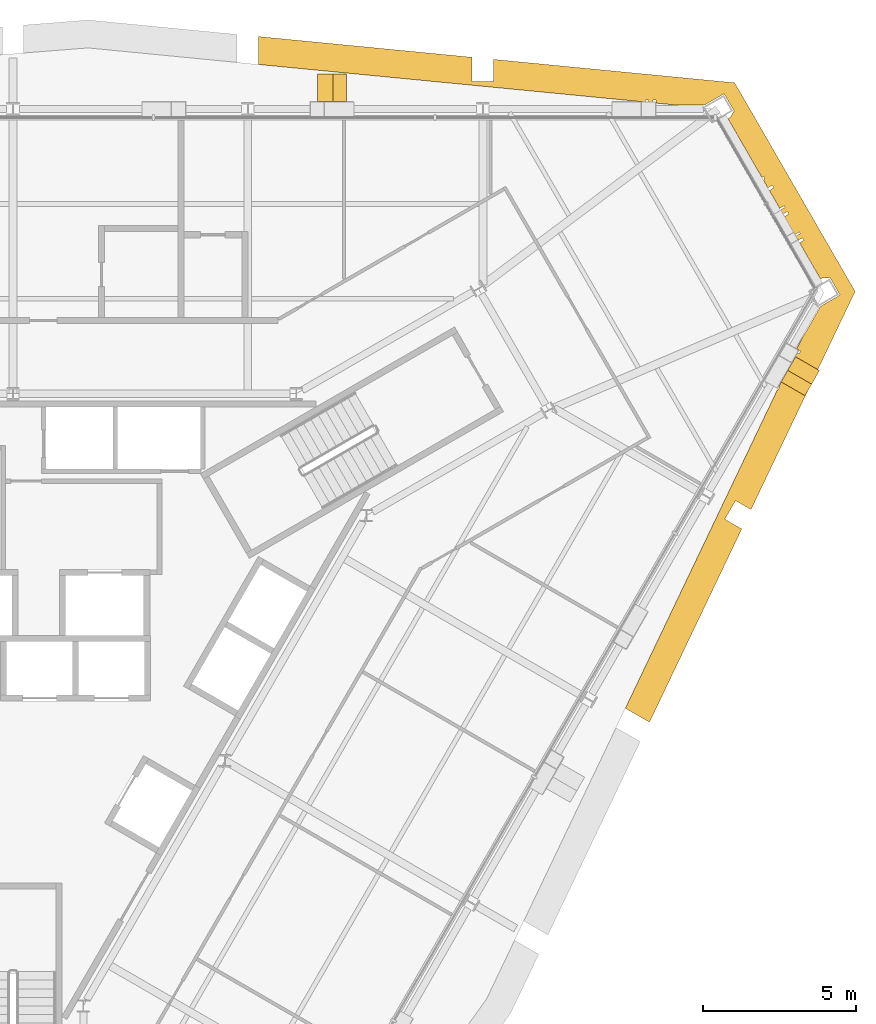
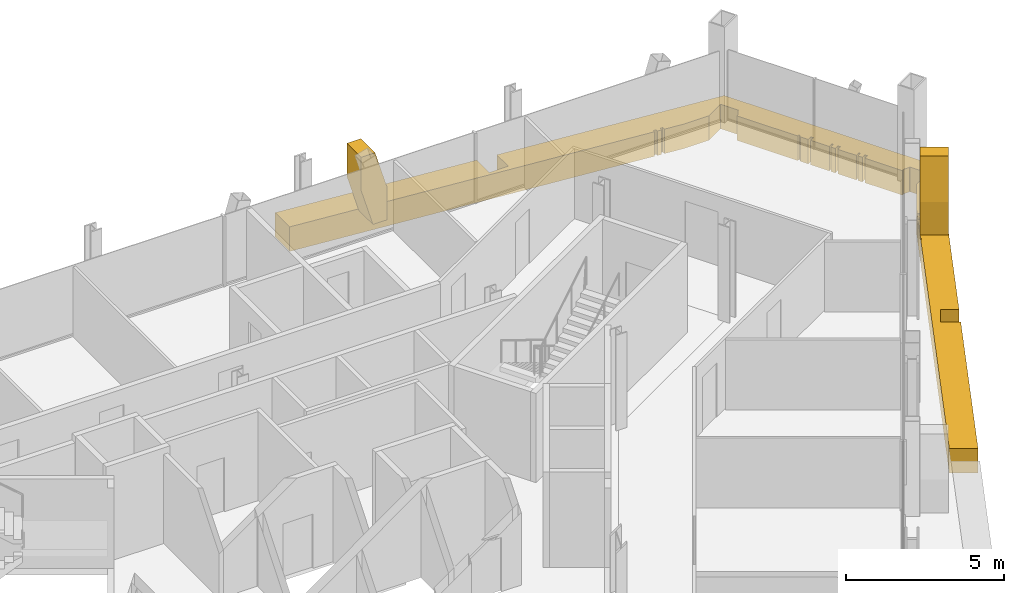
# One storey, part 13 of 13: 3 coverings.
"""IFC4 building model written with IfcOpenShell, lengths in metres."""

from ifc_helpers import new_model, si_unit, direction, frame, origin, place, context, subcontext, project, spatial, polyline, outline, extrude, material, layer, layer_set, type_object, element, save


model = new_model("IFC4")

# Units and contexts
model_context = context("Model", 3, precision=1e-05, world=origin(), true_north=direction((0.0, 1.0)))
body_context = subcontext(model_context, "Body", "Model", "MODEL_VIEW")
ifc_project = project(units=[si_unit("LENGTHUNIT", "METRE"), si_unit("AREAUNIT", "SQUARE_METRE"), si_unit("VOLUMEUNIT", "CUBIC_METRE"), si_unit("PLANEANGLEUNIT", "RADIAN"), si_unit("MASSUNIT", "GRAM", prefix="KILO")], contexts=[model_context])

# Site, building, storey
site_placement = place(None, origin())
site = spatial("IfcSite", under=ifc_project, at=site_placement, CompositionType="ELEMENT")
building_placement = place(site_placement, origin())
building = spatial("IfcBuilding", under=site, at=building_placement, Name="Verrane Prism Tower", CompositionType="ELEMENT")
storey_placement = place(building_placement, frame((0.0, 0.0, 163.60009765625)))
storey = spatial("IfcBuildingStorey", under=building, at=storey_placement, Name="L40", CompositionType="ELEMENT", Elevation=163.60009765625)

# Coverings
ifc_material_1 = material(Name="Warm limestone cladding", Category="masonry")
ifc_layer_1 = layer(ifc_material_1, 0.89990234375)
ifc_layer_set_1 = layer_set([ifc_layer_1], Name="Stone brace fin 900")
covering_type_1 = type_object("IfcCoveringType", Name="Stone brace fin 900", PredefinedType="CLADDING", material=ifc_layer_set_1)
covering_1_placement = place(storey_placement, frame((10.90087890625, 18.013916015625, 0.0), z_axis=(0.0, 0.0, 1.0), x_axis=(-1.0, 0.0, 0.0)))
element("IfcCovering", 1, at=covering_1_placement, inside=storey, type_object=covering_type_1, Name="Stone brace fin N2 L40", PredefinedType="CLADDING", context=body_context, shape_type="SweptSolid", body=[
    extrude(outline(polyline([(0.948974609375, 2.75), (0.435546875, 2.75), (0.0, 1.283203125), (0.0, 0.0), (0.509765625, 0.0), (0.948974609375, 1.4794921875), (0.948974609375, 2.75)])), frame((0.0, 0.449951171875, 0.0), z_axis=(0.0, -1.0, 0.0), x_axis=(1.0, 0.0, 0.0)), (0.0, 0.0, 1.0), 0.89990234375),
])
covering_2_placement = place(storey_placement, frame((25.51123046875, 8.16259765625, 0.0), z_axis=(0.0, 0.0, 1.0), x_axis=(0.500101590855, 0.865966742331, 0.0)))
element("IfcCovering", 2, at=covering_2_placement, inside=storey, type_object=covering_type_1, Name="Stone brace fin SE6 L40", PredefinedType="CLADDING", context=body_context, shape_type="SweptSolid", body=[
    extrude(outline(polyline([(0.947509765625, 2.75), (0.434814453125, 2.75), (0.0, 1.283203125), (0.0, 0.0), (0.509033203125, 0.0), (0.947509765625, 1.4794921875), (0.947509765625, 2.75)])), frame((0.0, 0.449951171875, 0.0), z_axis=(0.0, -1.0, 0.0), x_axis=(1.0, 0.0, 0.0)), (0.0, 0.0, 1.0), 0.89990234375),
])
ifc_material_2 = material(Name="Warm limestone cladding", Category="masonry")
ifc_layer_2 = layer(ifc_material_2, 0.449951171875)
ifc_layer_set_2 = layer_set([ifc_layer_2], Name="Stone spandrel band 450")
covering_type_2 = type_object("IfcCoveringType", Name="Stone spandrel band 450", PredefinedType="CLADDING", material=ifc_layer_set_2)
covering_3_placement = place(storey_placement, frame((0.0, 0.0, -0.9501953125)))
element("IfcCovering", 3, at=covering_3_placement, inside=storey, type_object=covering_type_2, Name="Stone spandrel band L40 part 2", PredefinedType="CLADDING", context=body_context, shape_type="SweptSolid", body=[
    extrude(outline(polyline([(8.03271484375, 19.6826171875), (8.03271484375, 18.7685546875), (20.683349609375, 17.539794921875), (20.683349609375, 17.610107421875), (20.781005859375, 17.610107421875), (20.781005859375, 17.5302734375), (20.930419921875, 17.515625), (20.930419921875, 17.610107421875), (21.0244140625, 17.610107421875), (21.0244140625, 17.506591796875), (21.675048828125, 17.443359375), (22.62109375, 17.443359375), (23.25732421875, 17.810791015625), (23.58740234375, 17.2392578125), (23.568359375, 17.228271484375), (23.45751953125, 17.0390625), (23.383056640625, 16.99609375), (24.499755859375, 15.061767578125), (24.50927734375, 15.098388671875), (24.5751953125, 15.081298828125), (24.54833984375, 14.9775390625), (24.689697265625, 14.733154296875), (24.83251953125, 14.815185546875), (24.878173828125, 14.73583984375), (24.7353515625, 14.653564453125), (25.076904296875, 14.0625), (25.21875, 14.14404296875), (25.24755859375, 14.093994140625), (25.105712890625, 14.012451171875), (25.184814453125, 13.875), (25.32666015625, 13.956787109375), (25.37255859375, 13.877197265625), (25.230712890625, 13.795654296875), (25.572265625, 13.204345703125), (25.713134765625, 13.285400390625), (25.741943359375, 13.235595703125), (25.60107421875, 13.154296875), (25.680419921875, 13.01708984375), (25.821044921875, 13.09814453125), (25.86669921875, 13.018798828125), (25.72607421875, 12.937744140625), (26.412109375, 11.74951171875), (26.482177734375, 11.789794921875), (26.698486328125, 11.789794921875), (26.71728515625, 11.80078125), (27.04736328125, 11.229248046875), (26.413818359375, 10.86328125), (25.780029296875, 9.765380859375), (25.63671875, 9.46533203125), (25.7568359375, 9.39599609375), (25.7099609375, 9.314697265625), (25.59619140625, 9.38037109375), (25.531494140625, 9.2451171875), (25.63525390625, 9.185302734375), (25.58642578125, 9.1005859375), (25.489501953125, 9.15673828125), (25.16259765625, 8.472412109375), (25.208251953125, 8.446044921875), (25.161376953125, 8.36474609375), (25.1220703125, 8.38720703125), (25.04248046875, 8.220703125), (25.06591796875, 8.203369140625), (25.00439453125, 8.12060546875), (24.997314453125, 8.125732421875), (20.02685546875, -2.287353515625), (20.817138671875, -2.74365234375), (23.834228515625, 3.577392578125), (23.280517578125, 3.897216796875), (23.63037109375, 4.50341796875), (24.13671875, 4.2109375), (27.5419921875, 11.34521484375), (23.601806640625, 18.17041015625), (15.715087890625, 18.936279296875), (15.715087890625, 18.2119140625), (15.01513671875, 18.2119140625), (15.01513671875, 19.00439453125), (8.03271484375, 19.6826171875)])), origin(), (0.0, 0.0, 1.0), 0.9501953125),
])

save(model, "model.ifc")
